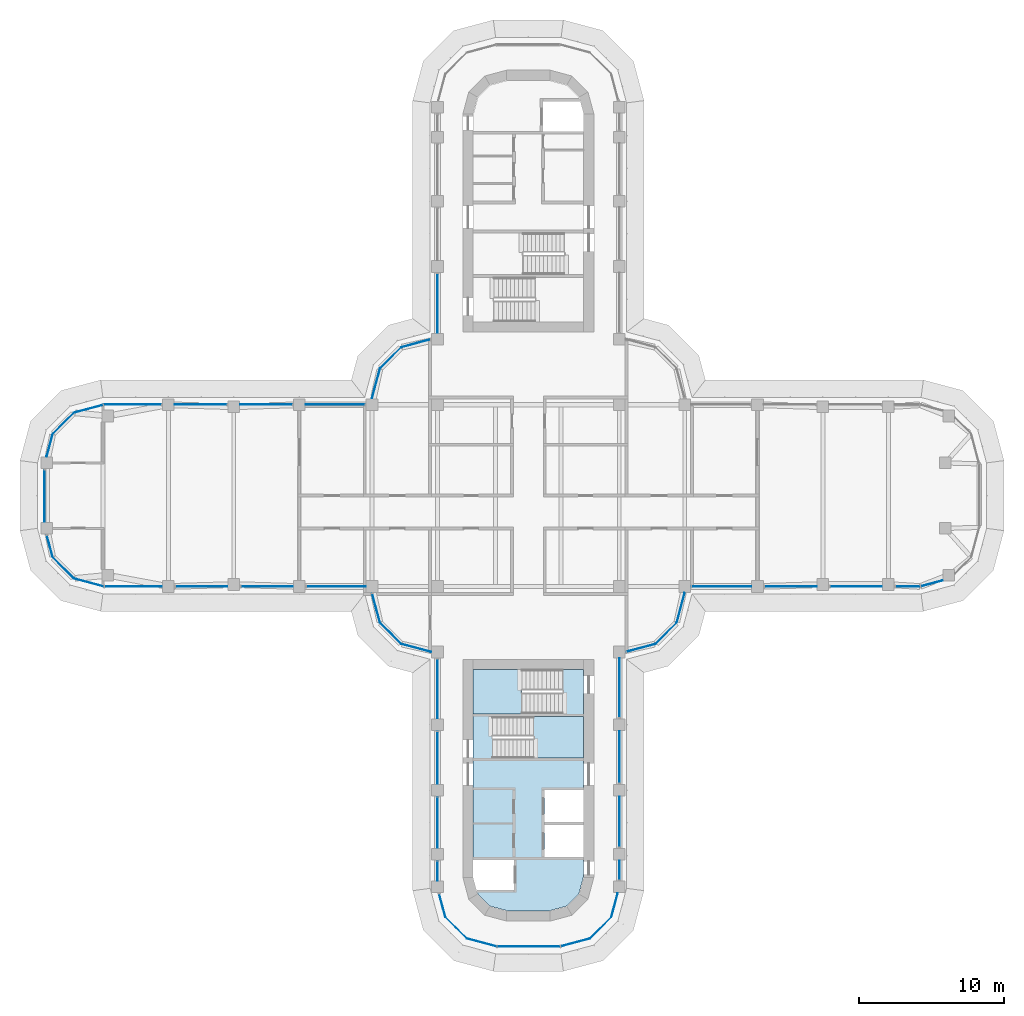
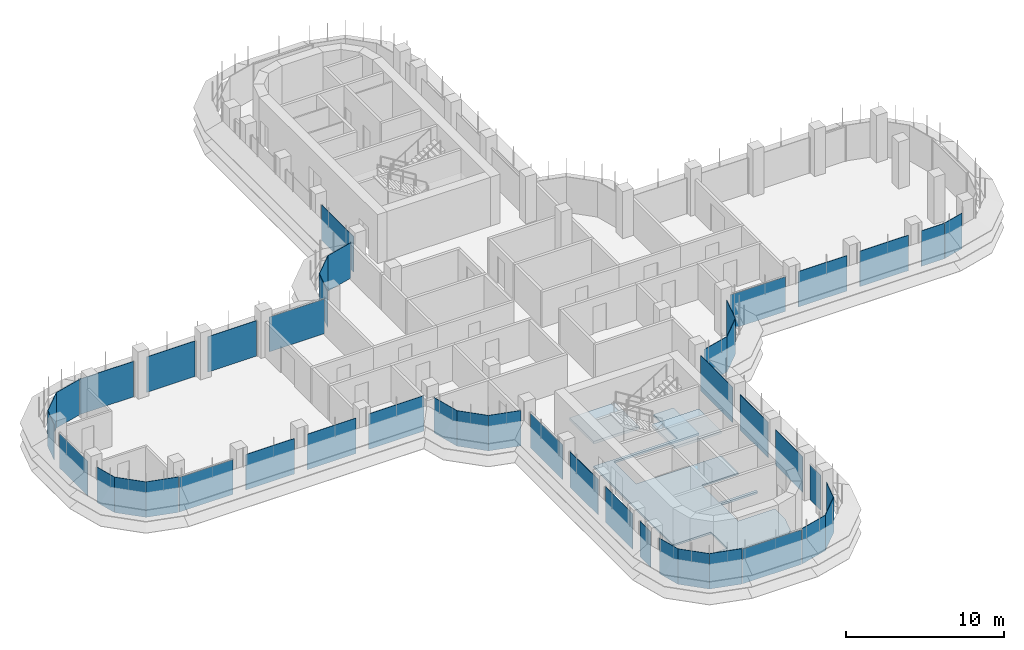
# One storey, part 11 of 19: 45 plates, 3 slabs, 32 elements without a shape of their own.
"""IFC4 building model written with IfcOpenShell, lengths in metres."""

from ifc_helpers import new_model, si_unit, direction, frame, origin, place, context, subcontext, project, spatial, polyline, outline, extrude, source, transform, mapped, material, layer, layer_set, type_object, element, aggregate, save


model = new_model("IFC4")

# Units and contexts
model_context = context("Model", 3, precision=1e-05, world=origin(), true_north=direction((0.0, 1.0)))
body_context = subcontext(model_context, "Body", "Model", "MODEL_VIEW")
ifc_project = project(units=[si_unit("LENGTHUNIT", "METRE"), si_unit("AREAUNIT", "SQUARE_METRE"), si_unit("VOLUMEUNIT", "CUBIC_METRE"), si_unit("PLANEANGLEUNIT", "RADIAN"), si_unit("MASSUNIT", "GRAM", prefix="KILO")], contexts=[model_context])

# Site, building, storey
site_placement = place(None, origin())
site = spatial("IfcSite", under=ifc_project, at=site_placement, CompositionType="ELEMENT")
building_placement = place(site_placement, origin())
building = spatial("IfcBuilding", under=site, at=building_placement, Name="Zarbagh Exchange Tower", CompositionType="ELEMENT")
storey_placement = place(building_placement, frame((0.0, 0.0, 160.0)))
storey = spatial("IfcBuildingStorey", under=building, at=storey_placement, Name="L38", CompositionType="ELEMENT", Elevation=160.0)

# Slab
ifc_material_1 = material(Name="Concrete C40/50", Category="concrete")
ifc_layer_1 = layer(ifc_material_1, 0.14990234375)
ifc_layer_set_1 = layer_set([ifc_layer_1], Name="Core floor slab 150 C40/50")
slab_type_1 = type_object("IfcSlabType", Name="Core floor slab 150 C40/50", PredefinedType="FLOOR", material=ifc_layer_set_1)
slab_1_placement = place(storey_placement, frame((0.0, 0.0, -0.14990234375)))
element("IfcSlab", 1, at=slab_1_placement, inside=storey, type_object=slab_type_1, Name="S17 core S", PredefinedType="FLOOR", context=body_context, shape_type="SweptSolid", body=[
    extrude(outline(polyline([(-2.6376953125, -28.220458984375), (-3.470458984375, -27.3876953125), (-3.800048828125, -26.15771484375), (-3.800048828125, -26.15771484375), (-3.547607421875, -27.10009765625), (-1.0, -27.10009765625), (-1.0, -25.050048828125), (-3.800048828125, -25.050048828125), (-3.800048828125, -15.0), (2.35009765625, -15.0), (2.35009765625, -11.949951171875), (3.800048828125, -11.949951171875), (3.800048828125, -15.199951171875), (-2.449951171875, -15.199951171875), (-2.449951171875, -18.050048828125), (3.800048828125, -18.050048828125), (3.800048828125, -20.25), (1.10009765625, -20.25), (1.10009765625, -22.449951171875), (3.800048828125, -22.449951171875), (3.800048828125, -22.64990234375), (1.10009765625, -22.64990234375), (1.10009765625, -24.85009765625), (3.800048828125, -24.85009765625), (3.800048828125, -26.15771484375), (3.470458984375, -27.3876953125), (2.6376953125, -28.220458984375), (1.40771484375, -28.550048828125), (-1.40771484375, -28.550048828125), (-2.6376953125, -28.220458984375)])), origin(), (0.0, 0.0, 1.0), 0.14990234375),
])

# Stair, slab
stair_type = type_object("IfcStairType", Name="Exit stair two-flight half-turn", PredefinedType="HALF_TURN_STAIR", material=ifc_material_1)
stair_1_placement = place(storey_placement, origin())
stair_1 = element("IfcStair", 2, at=stair_1_placement, inside=storey, type_object=stair_type, Name="exit stair ST3", PredefinedType="HALF_TURN_STAIR")
ifc_layer_2 = layer(ifc_material_1, 0.199951171875)
ifc_layer_set_2 = layer_set([ifc_layer_2], Name="Stair landing 200 mm")
slab_type_2 = type_object("IfcSlabType", Name="Stair landing 200 mm", PredefinedType="LANDING", material=ifc_layer_set_2)
slab_2_placement = place(storey_placement, frame((0.0, 0.0, 1.699951171875)))
slab_2 = element("IfcSlab", 3, at=slab_2_placement, type_object=slab_type_2, Name="ST3 landing 1", PredefinedType="LANDING", context=body_context, shape_type="SweptSolid", body=[
    extrude(outline(polyline([(0.35009765625, -18.050048828125), (3.800048828125, -18.050048828125), (3.800048828125, -15.199951171875), (0.35009765625, -15.199951171875), (0.35009765625, -18.050048828125)])), origin(), (0.0, 0.0, 1.0), 0.199951171875),
])
aggregate(stair_1, [slab_2])

stair_2_placement = place(storey_placement, origin())
stair_2 = element("IfcStair", 4, at=stair_2_placement, inside=storey, type_object=stair_type, Name="exit stair ST4", PredefinedType="HALF_TURN_STAIR")
slab_3_placement = place(storey_placement, frame((0.0, 0.0, 1.699951171875)))
slab_3 = element("IfcSlab", 5, at=slab_3_placement, type_object=slab_type_2, Name="ST4 landing 1", PredefinedType="LANDING", context=body_context, shape_type="SweptSolid", body=[
    extrude(outline(polyline([(-0.449951171875, -11.949951171875), (-3.800048828125, -11.949951171875), (-3.800048828125, -15.0), (-0.449951171875, -15.0), (-0.449951171875, -11.949951171875)])), origin(), (0.0, 0.0, 1.0), 0.199951171875),
])
aggregate(stair_2, [slab_3])

# Curtain wall, plate
ifc_material_2 = material(Name="Anodised aluminium frame and glazing", Category="aluminium")
curtain_wall_type = type_object("IfcCurtainWallType", Name="CWB Ribbon glazing, upper zones", PredefinedType="NOTDEFINED", material=ifc_material_2)
curtain_wall_1_placement = place(storey_placement, origin())
curtain_wall_1 = element("IfcCurtainWall", 6, at=curtain_wall_1_placement, inside=storey, type_object=curtain_wall_type, Name="CWB37 curtain wall", PredefinedType="NOTDEFINED")
ifc_material_3 = material(Name="Low-e double glazed unit, 6+12+6 mm")
ifc_layer_3 = layer(ifc_material_3, 0.031982421875)
ifc_layer_set_3 = layer_set([ifc_layer_3], Name="PAB Glazing panel, Low-e double glazed unit, 6+12+6 mm")
plate_type = type_object("IfcPlateType", Name="PAB Glazing panel, Low-e double glazed unit, 6+12+6 mm", PredefinedType="CURTAIN_PANEL", material=ifc_layer_set_3)
shared_shape_1 = source(origin(), body_context, "Body", "SweptSolid", [
    extrude(outline(polyline([(0.0, -0.01611328125), (1.5458984375, -0.01611328125), (1.5458984375, 0.01611328125), (0.0, 0.01611328125), (0.0, -0.01611328125)])), origin(), (0.0, 0.0, 1.0), 2.75),
])
placement = place(storey_placement, origin())
plate_1 = element("IfcPlate", 7, at=placement, type_object=plate_type, Name="CWB37 glazing panel 1.1", PredefinedType="CURTAIN_PANEL", context=body_context, shape_type="MappedRepresentation", body=[
    mapped(shared_shape_1, transform((-33.098876953125, -2.748046875, 0.0), x_axis=(0.258824779902, -0.965924289636, 0.0), y_axis=(0.965924289636, 0.258824779902, 0.0), z_axis=(0.0, 0.0, 1.0))),
])
aggregate(curtain_wall_1, [plate_1])

curtain_wall_2_placement = place(storey_placement, origin())
curtain_wall_2 = element("IfcCurtainWall", 8, at=curtain_wall_2_placement, inside=storey, type_object=curtain_wall_type, Name="CWB50 curtain wall", PredefinedType="NOTDEFINED")
shared_shape_2 = source(origin(), body_context, "Body", "SweptSolid", [
    extrude(outline(polyline([(0.0, -0.01611328125), (2.061279296875, -0.01611328125), (2.061279296875, 0.01611328125), (0.0, 0.01611328125), (0.0, -0.01611328125)])), origin(), (0.0, 0.0, 1.0), 2.75),
])
plate_2 = element("IfcPlate", 9, at=placement, type_object=plate_type, Name="CWB50 glazing panel 1.1", PredefinedType="CURTAIN_PANEL", context=body_context, shape_type="MappedRepresentation", body=[
    mapped(shared_shape_2, transform((4.2412109375, -30.44873046875, 0.0), x_axis=(0.707106781187, 0.707106781187, 0.0), y_axis=(-0.707106781187, 0.707106781187, 0.0), z_axis=(0.0, 0.0, 1.0))),
])
aggregate(curtain_wall_2, [plate_2])

curtain_wall_3_placement = place(storey_placement, origin())
curtain_wall_3 = element("IfcCurtainWall", 10, at=curtain_wall_3_placement, inside=storey, type_object=curtain_wall_type, Name="CWB06 curtain wall", PredefinedType="NOTDEFINED")
plate_3 = element("IfcPlate", 11, at=placement, type_object=plate_type, Name="CWB06 glazing panel 1.1", PredefinedType="CURTAIN_PANEL", context=body_context, shape_type="MappedRepresentation", body=[
    mapped(shared_shape_2, transform((8.7412109375, -10.19873046875, 0.0), x_axis=(0.707106781187, 0.707106781187, 0.0), y_axis=(-0.707106781187, 0.707106781187, 0.0), z_axis=(0.0, 0.0, 1.0))),
])
aggregate(curtain_wall_3, [plate_3])

curtain_wall_4_placement = place(storey_placement, origin())
curtain_wall_4 = element("IfcCurtainWall", 12, at=curtain_wall_4_placement, inside=storey, type_object=curtain_wall_type, Name="CWB30 curtain wall", PredefinedType="NOTDEFINED")
plate_4 = element("IfcPlate", 13, at=placement, type_object=plate_type, Name="CWB30 glazing panel 1.1", PredefinedType="CURTAIN_PANEL", context=body_context, shape_type="MappedRepresentation", body=[
    mapped(shared_shape_2, transform((-8.7412109375, 10.19873046875, 0.0), x_axis=(-0.707106781187, -0.707106781187, 0.0), y_axis=(0.707106781187, -0.707106781187, 0.0), z_axis=(0.0, 0.0, 1.0))),
])
aggregate(curtain_wall_4, [plate_4])

curtain_wall_5_placement = place(storey_placement, origin())
curtain_wall_5 = element("IfcCurtainWall", 14, at=curtain_wall_5_placement, inside=storey, type_object=curtain_wall_type, Name="CWB34 curtain wall", PredefinedType="NOTDEFINED")
plate_5 = element("IfcPlate", 15, at=placement, type_object=plate_type, Name="CWB34 glazing panel 1.1", PredefinedType="CURTAIN_PANEL", context=body_context, shape_type="MappedRepresentation", body=[
    mapped(shared_shape_2, transform((-31.2412109375, 5.69873046875, 0.0), x_axis=(-0.707106781187, -0.707106781187, 0.0), y_axis=(0.707106781187, -0.707106781187, 0.0), z_axis=(0.0, 0.0, 1.0))),
])
aggregate(curtain_wall_5, [plate_5])

curtain_wall_6_placement = place(storey_placement, origin())
curtain_wall_6 = element("IfcCurtainWall", 16, at=curtain_wall_6_placement, inside=storey, type_object=curtain_wall_type, Name="CWB38 curtain wall", PredefinedType="NOTDEFINED")
plate_6 = element("IfcPlate", 17, at=placement, type_object=plate_type, Name="CWB38 glazing panel 1.1", PredefinedType="CURTAIN_PANEL", context=body_context, shape_type="MappedRepresentation", body=[
    mapped(shared_shape_2, transform((-32.69873046875, -4.2412109375, 0.0), x_axis=(0.707106781187, -0.707106781187, 0.0), y_axis=(0.707106781187, 0.707106781187, 0.0), z_axis=(0.0, 0.0, 1.0))),
])
aggregate(curtain_wall_6, [plate_6])

curtain_wall_7_placement = place(storey_placement, origin())
curtain_wall_7 = element("IfcCurtainWall", 18, at=curtain_wall_7_placement, inside=storey, type_object=curtain_wall_type, Name="CWB42 curtain wall", PredefinedType="NOTDEFINED")
plate_7 = element("IfcPlate", 19, at=placement, type_object=plate_type, Name="CWB42 glazing panel 1.1", PredefinedType="CURTAIN_PANEL", context=body_context, shape_type="MappedRepresentation", body=[
    mapped(shared_shape_2, transform((-10.19873046875, -8.7412109375, 0.0), x_axis=(0.707106781187, -0.707106781187, 0.0), y_axis=(0.707106781187, 0.707106781187, 0.0), z_axis=(0.0, 0.0, 1.0))),
])
aggregate(curtain_wall_7, [plate_7])

curtain_wall_8_placement = place(storey_placement, origin())
curtain_wall_8 = element("IfcCurtainWall", 20, at=curtain_wall_8_placement, inside=storey, type_object=curtain_wall_type, Name="CWB55 curtain wall", PredefinedType="NOTDEFINED")
plate_8 = element("IfcPlate", 21, at=placement, type_object=plate_type, Name="CWB55 glazing panel 1.1", PredefinedType="CURTAIN_PANEL", context=body_context, shape_type="MappedRepresentation", body=[
    mapped(shared_shape_2, transform((-5.69873046875, -28.9912109375, 0.0), x_axis=(0.707106781187, -0.707106781187, 0.0), y_axis=(0.707106781187, 0.707106781187, 0.0), z_axis=(0.0, 0.0, 1.0))),
])
aggregate(curtain_wall_8, [plate_8])

curtain_wall_9_placement = place(storey_placement, origin())
curtain_wall_9 = element("IfcCurtainWall", 22, at=curtain_wall_9_placement, inside=storey, type_object=curtain_wall_type, Name="CWB39 curtain wall", PredefinedType="NOTDEFINED")
shared_shape_3 = source(origin(), body_context, "Body", "SweptSolid", [
    extrude(outline(polyline([(0.0, -0.01611328125), (2.129638671875, -0.01611328125), (2.129638671875, 0.01611328125), (0.0, 0.01611328125), (0.0, -0.01611328125)])), origin(), (0.0, 0.0, 1.0), 2.75),
])
plate_9 = element("IfcPlate", 23, at=placement, type_object=plate_type, Name="CWB39 glazing panel 1.1", PredefinedType="CURTAIN_PANEL", context=body_context, shape_type="MappedRepresentation", body=[
    mapped(shared_shape_3, transform((-31.2412109375, -5.69873046875, 0.0), x_axis=(0.965924289636, -0.258824779902, 0.0), y_axis=(0.258824779902, 0.965924289636, 0.0), z_axis=(0.0, 0.0, 1.0))),
])
aggregate(curtain_wall_9, [plate_9])

curtain_wall_10_placement = place(storey_placement, origin())
curtain_wall_10 = element("IfcCurtainWall", 24, at=curtain_wall_10_placement, inside=storey, type_object=curtain_wall_type, Name="CWB56 curtain wall", PredefinedType="NOTDEFINED")
plate_10 = element("IfcPlate", 25, at=placement, type_object=plate_type, Name="CWB56 glazing panel 1.1", PredefinedType="CURTAIN_PANEL", context=body_context, shape_type="MappedRepresentation", body=[
    mapped(shared_shape_3, transform((-4.2412109375, -30.44873046875, 0.0), x_axis=(0.965924289636, -0.258824779902, 0.0), y_axis=(0.258824779902, 0.965924289636, 0.0), z_axis=(0.0, 0.0, 1.0))),
])
aggregate(curtain_wall_10, [plate_10])

curtain_wall_11_placement = place(storey_placement, origin())
curtain_wall_11 = element("IfcCurtainWall", 26, at=curtain_wall_11_placement, inside=storey, type_object=curtain_wall_type, Name="CWB53 curtain wall", PredefinedType="NOTDEFINED")
shared_shape_4 = source(origin(), body_context, "Body", "SweptSolid", [
    extrude(outline(polyline([(0.0, -0.01611328125), (1.31005859375, -0.01611328125), (1.31005859375, 0.01611328125), (0.0, 0.01611328125), (0.0, -0.01611328125)])), origin(), (0.0, 0.0, 1.0), 2.75),
])
plate_11 = element("IfcPlate", 27, at=placement, type_object=plate_type, Name="CWB53 glazing panel 4.1", PredefinedType="CURTAIN_PANEL", context=body_context, shape_type="MappedRepresentation", body=[
    mapped(shared_shape_4, transform((-6.25, -25.150146484375, 0.0), x_axis=(0.0, -1.0, 0.0), y_axis=(1.0, 0.0, 0.0), z_axis=(0.0, 0.0, 1.0))),
])

curtain_wall_12_placement = place(storey_placement, origin())
curtain_wall_12 = element("IfcCurtainWall", 28, at=curtain_wall_12_placement, inside=storey, type_object=curtain_wall_type, Name="CWB52 curtain wall", PredefinedType="NOTDEFINED")
shared_shape_5 = source(origin(), body_context, "Body", "SweptSolid", [
    extrude(outline(polyline([(0.0, -0.01611328125), (3.4599609375, -0.01611328125), (3.4599609375, 0.01611328125), (0.0, 0.01611328125), (0.0, -0.01611328125)])), origin(), (0.0, 0.0, 1.0), 2.75),
])
plate_12 = element("IfcPlate", 29, at=placement, type_object=plate_type, Name="CWB52 glazing panel 2.1", PredefinedType="CURTAIN_PANEL", context=body_context, shape_type="MappedRepresentation", body=[
    mapped(shared_shape_5, transform((6.25, -24.14990234375, 0.0), x_axis=(0.0, 1.0, 0.0), y_axis=(-1.0, 0.0, 0.0), z_axis=(0.0, 0.0, 1.0))),
])

# Plate
plate_13 = element("IfcPlate", 30, at=placement, type_object=plate_type, Name="CWB53 glazing panel 3.1", PredefinedType="CURTAIN_PANEL", context=body_context, shape_type="MappedRepresentation", body=[
    mapped(shared_shape_5, transform((-6.25, -20.75, 0.0), x_axis=(0.0, -1.0, 0.0), y_axis=(1.0, 0.0, 0.0), z_axis=(0.0, 0.0, 1.0))),
])

shared_shape_6 = source(origin(), body_context, "Body", "SweptSolid", [
    extrude(outline(polyline([(0.0, -0.01611328125), (3.56005859375, -0.01611328125), (3.56005859375, 0.01611328125), (0.0, 0.01611328125), (0.0, -0.01611328125)])), origin(), (0.0, 0.0, 1.0), 2.75),
])
plate_14 = element("IfcPlate", 31, at=placement, type_object=plate_type, Name="CWB52 glazing panel 3.1", PredefinedType="CURTAIN_PANEL", context=body_context, shape_type="MappedRepresentation", body=[
    mapped(shared_shape_6, transform((6.25, -19.75, 0.0), x_axis=(0.0, 1.0, 0.0), y_axis=(-1.0, 0.0, 0.0), z_axis=(0.0, 0.0, 1.0))),
])

# Curtain wall, plates
curtain_wall_13_placement = place(storey_placement, origin())
curtain_wall_13 = element("IfcCurtainWall", 32, at=curtain_wall_13_placement, inside=storey, type_object=curtain_wall_type, Name="CWB08 curtain wall", PredefinedType="NOTDEFINED")
plate_15 = element("IfcPlate", 33, at=placement, type_object=plate_type, Name="CWB08 glazing panel 2.1", PredefinedType="CURTAIN_PANEL", context=body_context, shape_type="MappedRepresentation", body=[
    mapped(shared_shape_6, transform((16.25, -6.25, 0.0), x_axis=(1.0, 0.0, 0.0), y_axis=(0.0, 1.0, 0.0), z_axis=(0.0, 0.0, 1.0))),
])
plate_16 = element("IfcPlate", 34, at=placement, type_object=plate_type, Name="CWB08 glazing panel 3.1", PredefinedType="CURTAIN_PANEL", context=body_context, shape_type="MappedRepresentation", body=[
    mapped(shared_shape_6, transform((20.75, -6.25, 0.0), x_axis=(1.0, 0.0, 0.0), y_axis=(0.0, 1.0, 0.0), z_axis=(0.0, 0.0, 1.0))),
])

curtain_wall_14_placement = place(storey_placement, origin())
curtain_wall_14 = element("IfcCurtainWall", 35, at=curtain_wall_14_placement, inside=storey, type_object=curtain_wall_type, Name="CWB32 curtain wall", PredefinedType="NOTDEFINED")
plate_17 = element("IfcPlate", 36, at=placement, type_object=plate_type, Name="CWB32 glazing panel 2.1", PredefinedType="CURTAIN_PANEL", context=body_context, shape_type="MappedRepresentation", body=[
    mapped(shared_shape_6, transform((-16.25, 6.25, 0.0), x_axis=(-1.0, 0.0, 0.0), y_axis=(0.0, -1.0, 0.0), z_axis=(0.0, 0.0, 1.0))),
])
plate_18 = element("IfcPlate", 37, at=placement, type_object=plate_type, Name="CWB32 glazing panel 3.1", PredefinedType="CURTAIN_PANEL", context=body_context, shape_type="MappedRepresentation", body=[
    mapped(shared_shape_6, transform((-20.75, 6.25, 0.0), x_axis=(-1.0, 0.0, 0.0), y_axis=(0.0, -1.0, 0.0), z_axis=(0.0, 0.0, 1.0))),
])

curtain_wall_15_placement = place(storey_placement, origin())
curtain_wall_15 = element("IfcCurtainWall", 38, at=curtain_wall_15_placement, inside=storey, type_object=curtain_wall_type, Name="CWB40 curtain wall", PredefinedType="NOTDEFINED")
plate_19 = element("IfcPlate", 39, at=placement, type_object=plate_type, Name="CWB40 glazing panel 2.1", PredefinedType="CURTAIN_PANEL", context=body_context, shape_type="MappedRepresentation", body=[
    mapped(shared_shape_6, transform((-24.25, -6.25, 0.0), x_axis=(1.0, 0.0, 0.0), y_axis=(0.0, 1.0, 0.0), z_axis=(0.0, 0.0, 1.0))),
])
plate_20 = element("IfcPlate", 40, at=placement, type_object=plate_type, Name="CWB40 glazing panel 3.1", PredefinedType="CURTAIN_PANEL", context=body_context, shape_type="MappedRepresentation", body=[
    mapped(shared_shape_6, transform((-19.75, -6.25, 0.0), x_axis=(1.0, 0.0, 0.0), y_axis=(0.0, 1.0, 0.0), z_axis=(0.0, 0.0, 1.0))),
])

# Plate
plate_21 = element("IfcPlate", 41, at=placement, type_object=plate_type, Name="CWB53 glazing panel 2.1", PredefinedType="CURTAIN_PANEL", context=body_context, shape_type="MappedRepresentation", body=[
    mapped(shared_shape_6, transform((-6.25, -16.25, 0.0), x_axis=(0.0, -1.0, 0.0), y_axis=(1.0, 0.0, 0.0), z_axis=(0.0, 0.0, 1.0))),
])

shared_shape_7 = source(origin(), body_context, "Body", "SweptSolid", [
    extrude(outline(polyline([(0.0, -0.01611328125), (4.06005859375, -0.01611328125), (4.06005859375, 0.01611328125), (0.0, 0.01611328125), (0.0, -0.01611328125)])), origin(), (0.0, 0.0, 1.0), 2.75),
])
plate_22 = element("IfcPlate", 42, at=placement, type_object=plate_type, Name="CWB52 glazing panel 4.1", PredefinedType="CURTAIN_PANEL", context=body_context, shape_type="MappedRepresentation", body=[
    mapped(shared_shape_7, transform((6.25, -15.25, 0.0), x_axis=(0.0, 1.0, 0.0), y_axis=(-1.0, 0.0, 0.0), z_axis=(0.0, 0.0, 1.0))),
])

# Curtain wall, plate
curtain_wall_16_placement = place(storey_placement, origin())
curtain_wall_16 = element("IfcCurtainWall", 43, at=curtain_wall_16_placement, inside=storey, type_object=curtain_wall_type, Name="CWB28 curtain wall", PredefinedType="NOTDEFINED")
plate_23 = element("IfcPlate", 44, at=placement, type_object=plate_type, Name="CWB28 glazing panel 4.1", PredefinedType="CURTAIN_PANEL", context=body_context, shape_type="MappedRepresentation", body=[
    mapped(shared_shape_7, transform((-6.25, 15.25, 0.0), x_axis=(0.0, -1.0, 0.0), y_axis=(1.0, 0.0, 0.0), z_axis=(0.0, 0.0, 1.0))),
])
aggregate(curtain_wall_16, [plate_23])

# Plate
plate_24 = element("IfcPlate", 45, at=placement, type_object=plate_type, Name="CWB40 glazing panel 4.1", PredefinedType="CURTAIN_PANEL", context=body_context, shape_type="MappedRepresentation", body=[
    mapped(shared_shape_7, transform((-15.25, -6.25, 0.0), x_axis=(1.0, 0.0, 0.0), y_axis=(0.0, 1.0, 0.0), z_axis=(0.0, 0.0, 1.0))),
])

# Curtain wall, plate
curtain_wall_17_placement = place(storey_placement, origin())
curtain_wall_17 = element("IfcCurtainWall", 46, at=curtain_wall_17_placement, inside=storey, type_object=curtain_wall_type, Name="CWB05 curtain wall", PredefinedType="NOTDEFINED")
shared_shape_8 = source(origin(), body_context, "Body", "SweptSolid", [
    extrude(outline(polyline([(0.0, -0.01611328125), (2.063720703125, -0.01611328125), (2.063720703125, 0.01611328125), (0.0, 0.01611328125), (0.0, -0.01611328125)])), origin(), (0.0, 0.0, 1.0), 2.75),
])
plate_25 = element("IfcPlate", 47, at=placement, type_object=plate_type, Name="CWB05 glazing panel 1.1", PredefinedType="CURTAIN_PANEL", context=body_context, shape_type="MappedRepresentation", body=[
    mapped(shared_shape_8, transform((6.748046875, -10.73291015625, 0.0), x_axis=(0.965924289636, 0.258824779902, 0.0), y_axis=(-0.258824779902, 0.965924289636, 0.0), z_axis=(0.0, 0.0, 1.0))),
])
aggregate(curtain_wall_17, [plate_25])

curtain_wall_18_placement = place(storey_placement, origin())
curtain_wall_18 = element("IfcCurtainWall", 48, at=curtain_wall_18_placement, inside=storey, type_object=curtain_wall_type, Name="CWB29 curtain wall", PredefinedType="NOTDEFINED")
plate_26 = element("IfcPlate", 49, at=placement, type_object=plate_type, Name="CWB29 glazing panel 1.1", PredefinedType="CURTAIN_PANEL", context=body_context, shape_type="MappedRepresentation", body=[
    mapped(shared_shape_8, transform((-6.748046875, 10.73291015625, 0.0), x_axis=(-0.965924289636, -0.258824779902, 0.0), y_axis=(0.258824779902, -0.965924289636, 0.0), z_axis=(0.0, 0.0, 1.0))),
])
aggregate(curtain_wall_18, [plate_26])

curtain_wall_19_placement = place(storey_placement, origin())
curtain_wall_19 = element("IfcCurtainWall", 50, at=curtain_wall_19_placement, inside=storey, type_object=curtain_wall_type, Name="CWB41 curtain wall", PredefinedType="NOTDEFINED")
plate_27 = element("IfcPlate", 51, at=placement, type_object=plate_type, Name="CWB41 glazing panel 1.1", PredefinedType="CURTAIN_PANEL", context=body_context, shape_type="MappedRepresentation", body=[
    mapped(shared_shape_8, transform((-10.73291015625, -6.748046875, 0.0), x_axis=(0.258824779902, -0.965924289636, 0.0), y_axis=(0.965924289636, 0.258824779902, 0.0), z_axis=(0.0, 0.0, 1.0))),
])
aggregate(curtain_wall_19, [plate_27])

curtain_wall_20_placement = place(storey_placement, origin())
curtain_wall_20 = element("IfcCurtainWall", 52, at=curtain_wall_20_placement, inside=storey, type_object=curtain_wall_type, Name="CWB07 curtain wall", PredefinedType="NOTDEFINED")
shared_shape_9 = source(origin(), body_context, "Body", "SweptSolid", [
    extrude(outline(polyline([(0.0, -0.01611328125), (2.12353515625, -0.01611328125), (2.12353515625, 0.01611328125), (0.0, 0.01611328125), (0.0, -0.01611328125)])), origin(), (0.0, 0.0, 1.0), 2.75),
])
plate_28 = element("IfcPlate", 53, at=placement, type_object=plate_type, Name="CWB07 glazing panel 1.1", PredefinedType="CURTAIN_PANEL", context=body_context, shape_type="MappedRepresentation", body=[
    mapped(shared_shape_9, transform((10.19873046875, -8.7412109375, 0.0), x_axis=(0.258824779902, 0.965924289636, 0.0), y_axis=(-0.965924289636, 0.258824779902, 0.0), z_axis=(0.0, 0.0, 1.0))),
])
aggregate(curtain_wall_20, [plate_28])

curtain_wall_21_placement = place(storey_placement, origin())
curtain_wall_21 = element("IfcCurtainWall", 54, at=curtain_wall_21_placement, inside=storey, type_object=curtain_wall_type, Name="CWB31 curtain wall", PredefinedType="NOTDEFINED")
plate_29 = element("IfcPlate", 55, at=placement, type_object=plate_type, Name="CWB31 glazing panel 1.1", PredefinedType="CURTAIN_PANEL", context=body_context, shape_type="MappedRepresentation", body=[
    mapped(shared_shape_9, transform((-10.19873046875, 8.7412109375, 0.0), x_axis=(-0.258824779902, -0.965924289636, 0.0), y_axis=(0.965924289636, -0.258824779902, 0.0), z_axis=(0.0, 0.0, 1.0))),
])
aggregate(curtain_wall_21, [plate_29])

curtain_wall_22_placement = place(storey_placement, origin())
curtain_wall_22 = element("IfcCurtainWall", 56, at=curtain_wall_22_placement, inside=storey, type_object=curtain_wall_type, Name="CWB43 curtain wall", PredefinedType="NOTDEFINED")
plate_30 = element("IfcPlate", 57, at=placement, type_object=plate_type, Name="CWB43 glazing panel 1.1", PredefinedType="CURTAIN_PANEL", context=body_context, shape_type="MappedRepresentation", body=[
    mapped(shared_shape_9, transform((-8.7412109375, -10.19873046875, 0.0), x_axis=(0.965924289636, -0.258824779902, 0.0), y_axis=(0.258824779902, 0.965924289636, 0.0), z_axis=(0.0, 0.0, 1.0))),
])
aggregate(curtain_wall_22, [plate_30])

# Plate
shared_shape_10 = source(origin(), body_context, "Body", "SweptSolid", [
    extrude(outline(polyline([(0.0, -0.01611328125), (4.06005859375, -0.01611328125), (4.06005859375, 0.01611328125), (0.0, 0.01611328125), (0.0, -0.01611328125)])), origin(), (0.0, 0.0, 1.0), 2.68994140625),
])
plate_31 = element("IfcPlate", 58, at=placement, type_object=plate_type, Name="CWB08 glazing panel 1.1", PredefinedType="CURTAIN_PANEL", context=body_context, shape_type="MappedRepresentation", body=[
    mapped(shared_shape_10, transform((11.25, -6.25, 0.0), x_axis=(1.0, 0.0, 0.0), y_axis=(0.0, 1.0, 0.0), z_axis=(0.0, 0.0, 1.0))),
])

plate_32 = element("IfcPlate", 59, at=placement, type_object=plate_type, Name="CWB32 glazing panel 1.1", PredefinedType="CURTAIN_PANEL", context=body_context, shape_type="MappedRepresentation", body=[
    mapped(shared_shape_10, transform((-11.25, 6.25, 0.0), x_axis=(-1.0, 0.0, 0.0), y_axis=(0.0, -1.0, 0.0), z_axis=(0.0, 0.0, 1.0))),
])

plate_33 = element("IfcPlate", 60, at=placement, type_object=plate_type, Name="CWB53 glazing panel 1.1", PredefinedType="CURTAIN_PANEL", context=body_context, shape_type="MappedRepresentation", body=[
    mapped(shared_shape_10, transform((-6.25, -11.25, 0.0), x_axis=(0.0, -1.0, 0.0), y_axis=(1.0, 0.0, 0.0), z_axis=(0.0, 0.0, 1.0))),
])

aggregate(curtain_wall_11, [plate_33, plate_21, plate_13, plate_11])

shared_shape_11 = source(origin(), body_context, "Body", "SweptSolid", [
    extrude(outline(polyline([(0.0, -0.01611328125), (1.68408203125, -0.01611328125), (1.68408203125, 0.01611328125), (0.0, 0.01611328125), (0.0, -0.01611328125)])), origin(), (0.0, 0.0, 1.0), 2.75),
])
plate_34 = element("IfcPlate", 61, at=placement, type_object=plate_type, Name="CWB08 glazing panel 4.1", PredefinedType="CURTAIN_PANEL", context=body_context, shape_type="MappedRepresentation", body=[
    mapped(shared_shape_11, transform((25.25, -6.25, 0.0), x_axis=(1.0, 0.0, 0.0), y_axis=(0.0, 1.0, 0.0), z_axis=(0.0, 0.0, 1.0))),
])

aggregate(curtain_wall_13, [plate_31, plate_15, plate_16, plate_34])

# Curtain wall, plate
curtain_wall_23_placement = place(storey_placement, origin())
curtain_wall_23 = element("IfcCurtainWall", 62, at=curtain_wall_23_placement, inside=storey, type_object=curtain_wall_type, Name="CWB09 curtain wall", PredefinedType="NOTDEFINED")
shared_shape_12 = source(origin(), body_context, "Body", "SweptSolid", [
    extrude(outline(polyline([(0.0, -0.01611328125), (1.52783203125, -0.01611328125), (1.52783203125, 0.01611328125), (0.0, 0.01611328125), (0.0, -0.01611328125)])), origin(), (0.0, 0.0, 1.0), 2.75),
])
plate_35 = element("IfcPlate", 63, at=placement, type_object=plate_type, Name="CWB09 glazing panel 1.1", PredefinedType="CURTAIN_PANEL", context=body_context, shape_type="MappedRepresentation", body=[
    mapped(shared_shape_12, transform((26.9921875, -6.234375, 0.0), x_axis=(0.965924289636, 0.258824779902, 0.0), y_axis=(-0.258824779902, 0.965924289636, 0.0), z_axis=(0.0, 0.0, 1.0))),
])
aggregate(curtain_wall_23, [plate_35])

curtain_wall_24_placement = place(storey_placement, origin())
curtain_wall_24 = element("IfcCurtainWall", 64, at=curtain_wall_24_placement, inside=storey, type_object=curtain_wall_type, Name="CWB57 curtain wall", PredefinedType="NOTDEFINED")
shared_shape_13 = source(origin(), body_context, "Body", "SweptSolid", [
    extrude(outline(polyline([(0.0, -0.01611328125), (4.308349609375, -0.01611328125), (4.308349609375, 0.01611328125), (0.0, 0.01611328125), (0.0, -0.01611328125)])), origin(), (0.0, 0.0, 1.0), 2.68994140625),
])
plate_36 = element("IfcPlate", 65, at=placement, type_object=plate_type, Name="CWB57 glazing panel 1.1", PredefinedType="CURTAIN_PANEL", context=body_context, shape_type="MappedRepresentation", body=[
    mapped(shared_shape_13, transform((-2.124267578125, -31.0, 0.0), x_axis=(1.0, 0.0, 0.0), y_axis=(0.0, 1.0, 0.0), z_axis=(0.0, 0.0, 1.0))),
])
aggregate(curtain_wall_24, [plate_36])

curtain_wall_25_placement = place(storey_placement, origin())
curtain_wall_25 = element("IfcCurtainWall", 66, at=curtain_wall_25_placement, inside=storey, type_object=curtain_wall_type, Name="CWB49 curtain wall", PredefinedType="NOTDEFINED")
shared_shape_14 = source(origin(), body_context, "Body", "SweptSolid", [
    extrude(outline(polyline([(0.0, -0.01611328125), (2.069580078125, -0.01611328125), (2.069580078125, 0.01611328125), (0.0, 0.01611328125), (0.0, -0.01611328125)])), origin(), (0.0, 0.0, 1.0), 2.75),
])
plate_37 = element("IfcPlate", 67, at=placement, type_object=plate_type, Name="CWB49 glazing panel 1.1", PredefinedType="CURTAIN_PANEL", context=body_context, shape_type="MappedRepresentation", body=[
    mapped(shared_shape_14, transform((2.2421875, -30.984375, 0.0), x_axis=(0.965924289636, 0.258824779902, 0.0), y_axis=(-0.258824779902, 0.965924289636, 0.0), z_axis=(0.0, 0.0, 1.0))),
])
aggregate(curtain_wall_25, [plate_37])

curtain_wall_26_placement = place(storey_placement, origin())
curtain_wall_26 = element("IfcCurtainWall", 68, at=curtain_wall_26_placement, inside=storey, type_object=curtain_wall_type, Name="CWB33 curtain wall", PredefinedType="NOTDEFINED")
plate_38 = element("IfcPlate", 69, at=placement, type_object=plate_type, Name="CWB33 glazing panel 1.1", PredefinedType="CURTAIN_PANEL", context=body_context, shape_type="MappedRepresentation", body=[
    mapped(shared_shape_14, transform((-29.2421875, 6.234375, 0.0), x_axis=(-0.965924289636, -0.258824779902, 0.0), y_axis=(0.258824779902, -0.965924289636, 0.0), z_axis=(0.0, 0.0, 1.0))),
])
aggregate(curtain_wall_26, [plate_38])

# Plate
shared_shape_15 = source(origin(), body_context, "Body", "SweptSolid", [
    extrude(outline(polyline([(0.0, -0.01611328125), (3.93408203125, -0.01611328125), (3.93408203125, 0.01611328125), (0.0, 0.01611328125), (0.0, -0.01611328125)])), origin(), (0.0, 0.0, 1.0), 2.75),
])
plate_39 = element("IfcPlate", 70, at=placement, type_object=plate_type, Name="CWB32 glazing panel 4.1", PredefinedType="CURTAIN_PANEL", context=body_context, shape_type="MappedRepresentation", body=[
    mapped(shared_shape_15, transform((-25.25, 6.25, 0.0), x_axis=(-1.0, 0.0, 0.0), y_axis=(0.0, -1.0, 0.0), z_axis=(0.0, 0.0, 1.0))),
])

aggregate(curtain_wall_14, [plate_32, plate_17, plate_18, plate_39])

# Curtain wall, plate
curtain_wall_27_placement = place(storey_placement, origin())
curtain_wall_27 = element("IfcCurtainWall", 71, at=curtain_wall_27_placement, inside=storey, type_object=curtain_wall_type, Name="CWB35 curtain wall", PredefinedType="NOTDEFINED")
shared_shape_16 = source(origin(), body_context, "Body", "SweptSolid", [
    extrude(outline(polyline([(0.0, -0.01611328125), (1.60595703125, -0.01611328125), (1.60595703125, 0.01611328125), (0.0, 0.01611328125), (0.0, -0.01611328125)])), origin(), (0.0, 0.0, 1.0), 2.75),
])
plate_40 = element("IfcPlate", 72, at=placement, type_object=plate_type, Name="CWB35 glazing panel 1.1", PredefinedType="CURTAIN_PANEL", context=body_context, shape_type="MappedRepresentation", body=[
    mapped(shared_shape_16, transform((-32.69873046875, 4.2412109375, 0.0), x_axis=(-0.258824779902, -0.965924289636, 0.0), y_axis=(0.965924289636, -0.258824779902, 0.0), z_axis=(0.0, 0.0, 1.0))),
])
aggregate(curtain_wall_27, [plate_40])

curtain_wall_28_placement = place(storey_placement, origin())
curtain_wall_28 = element("IfcCurtainWall", 73, at=curtain_wall_28_placement, inside=storey, type_object=curtain_wall_type, Name="CWB36 curtain wall", PredefinedType="NOTDEFINED")
shared_shape_17 = source(origin(), body_context, "Body", "SweptSolid", [
    extrude(outline(polyline([(0.0, -0.01611328125), (3.56005859375, -0.01611328125), (3.56005859375, 0.01611328125), (0.0, 0.01611328125), (0.0, -0.01611328125)])), origin(), (0.0, 0.0, 1.0), 2.68994140625),
])
plate_41 = element("IfcPlate", 74, at=placement, type_object=plate_type, Name="CWB36 glazing panel 1.1", PredefinedType="CURTAIN_PANEL", context=body_context, shape_type="MappedRepresentation", body=[
    mapped(shared_shape_17, transform((-33.25, 1.75, 0.0), x_axis=(0.0, -1.0, 0.0), y_axis=(1.0, 0.0, 0.0), z_axis=(0.0, 0.0, 1.0))),
])
aggregate(curtain_wall_28, [plate_41])

# Plate
shared_shape_18 = source(origin(), body_context, "Body", "SweptSolid", [
    extrude(outline(polyline([(0.0, -0.01611328125), (3.93408203125, -0.01611328125), (3.93408203125, 0.01611328125), (0.0, 0.01611328125), (0.0, -0.01611328125)])), origin(), (0.0, 0.0, 1.0), 2.68994140625),
])
plate_42 = element("IfcPlate", 75, at=placement, type_object=plate_type, Name="CWB40 glazing panel 1.1", PredefinedType="CURTAIN_PANEL", context=body_context, shape_type="MappedRepresentation", body=[
    mapped(shared_shape_18, transform((-29.124267578125, -6.25, 0.0), x_axis=(1.0, 0.0, 0.0), y_axis=(0.0, 1.0, 0.0), z_axis=(0.0, 0.0, 1.0))),
])

aggregate(curtain_wall_15, [plate_42, plate_19, plate_20, plate_24])

# Curtain wall, plate
curtain_wall_29_placement = place(storey_placement, origin())
curtain_wall_29 = element("IfcCurtainWall", 76, at=curtain_wall_29_placement, inside=storey, type_object=curtain_wall_type, Name="CWB51 curtain wall", PredefinedType="NOTDEFINED")
shared_shape_19 = source(origin(), body_context, "Body", "SweptSolid", [
    extrude(outline(polyline([(0.0, -0.01611328125), (1.70947265625, -0.01611328125), (1.70947265625, 0.01611328125), (0.0, 0.01611328125), (0.0, -0.01611328125)])), origin(), (0.0, 0.0, 1.0), 2.75),
])
plate_43 = element("IfcPlate", 77, at=placement, type_object=plate_type, Name="CWB51 glazing panel 1.1", PredefinedType="CURTAIN_PANEL", context=body_context, shape_type="MappedRepresentation", body=[
    mapped(shared_shape_19, transform((5.69873046875, -28.9912109375, 0.0), x_axis=(0.258824779902, 0.965924289636, 0.0), y_axis=(-0.965924289636, 0.258824779902, 0.0), z_axis=(0.0, 0.0, 1.0))),
])
aggregate(curtain_wall_29, [plate_43])

# Plate
shared_shape_20 = source(origin(), body_context, "Body", "SweptSolid", [
    extrude(outline(polyline([(0.0, -0.01611328125), (1.31005859375, -0.01611328125), (1.31005859375, 0.01611328125), (0.0, 0.01611328125), (0.0, -0.01611328125)])), origin(), (0.0, 0.0, 1.0), 2.68994140625),
])
plate_44 = element("IfcPlate", 78, at=placement, type_object=plate_type, Name="CWB52 glazing panel 1.1", PredefinedType="CURTAIN_PANEL", context=body_context, shape_type="MappedRepresentation", body=[
    mapped(shared_shape_20, transform((6.25, -26.39990234375, 0.0), x_axis=(0.0, 1.0, 0.0), y_axis=(-1.0, 0.0, 0.0), z_axis=(0.0, 0.0, 1.0))),
])

aggregate(curtain_wall_12, [plate_44, plate_12, plate_14, plate_22])

# Curtain wall, plate
curtain_wall_30_placement = place(storey_placement, origin())
curtain_wall_30 = element("IfcCurtainWall", 79, at=curtain_wall_30_placement, inside=storey, type_object=curtain_wall_type, Name="CWB54 curtain wall", PredefinedType="NOTDEFINED")
shared_shape_21 = source(origin(), body_context, "Body", "SweptSolid", [
    extrude(outline(polyline([(0.0, -0.01611328125), (1.6494140625, -0.01611328125), (1.6494140625, 0.01611328125), (0.0, 0.01611328125), (0.0, -0.01611328125)])), origin(), (0.0, 0.0, 1.0), 2.75),
])
plate_45 = element("IfcPlate", 80, at=placement, type_object=plate_type, Name="CWB54 glazing panel 1.1", PredefinedType="CURTAIN_PANEL", context=body_context, shape_type="MappedRepresentation", body=[
    mapped(shared_shape_21, transform((-6.125732421875, -27.39794921875, 0.0), x_axis=(0.258824779902, -0.965924289636, 0.0), y_axis=(0.965924289636, 0.258824779902, 0.0), z_axis=(0.0, 0.0, 1.0))),
])
aggregate(curtain_wall_30, [plate_45])

save(model, "model.ifc")
